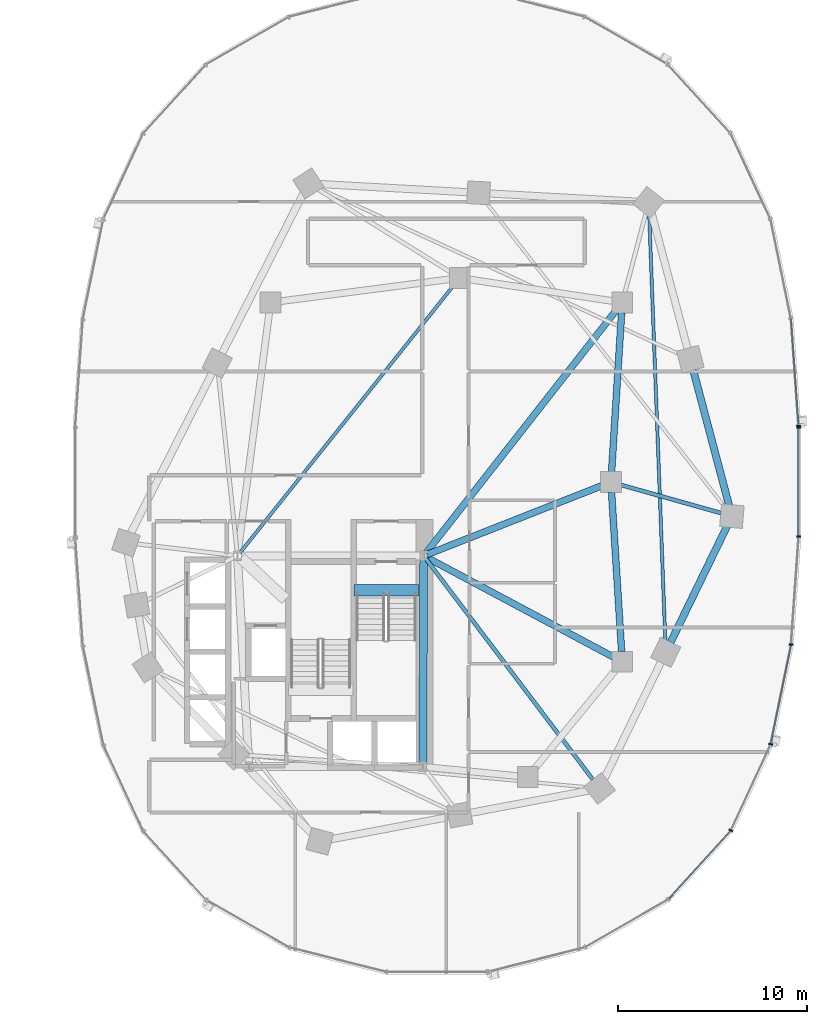
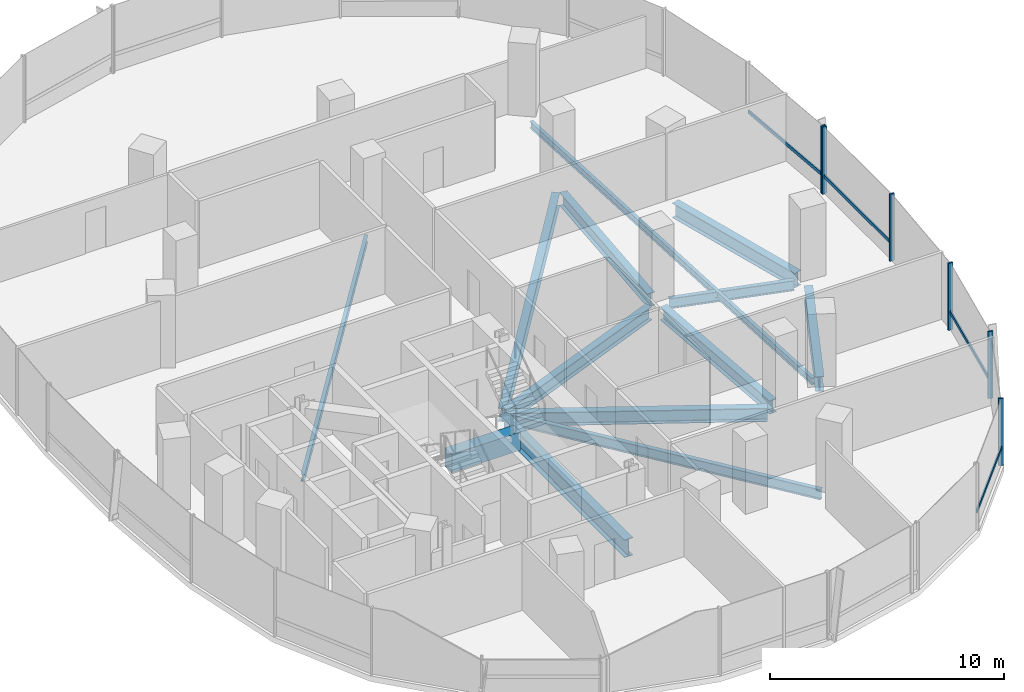
# One storey, part 6 of 21: 13 beams, 10 members, 2 elements without a shape of their own.
"""IFC4 building model written with IfcOpenShell, lengths in metres."""

import ifcopenshell
import ifcopenshell.guid

model = None  # the IFC model being written
_history = None  # IfcOwnerHistory: only IFC2X3 demands one
_inside = {}  # id of a spatial element -> (the spatial element, [elements in it])
_under = {}  # id of a project, library or spatial element -> (it, [spatial elements below it])
_declared = {}  # id of a project -> (the project, [libraries it declares])
_typed = {}  # id of a type object -> (the type object, [elements of that type])
_made_of = {}  # id of a material, layer set ... -> (it, [elements and type objects made of it])


def new_model(schema):
    """Start an empty IFC model of exactly this schema.

    Asked for "IFC4X3", IfcOpenShell would pick the latest addendum, in which some entities
    have other attributes; the version numbers below select the first issue.
    IFC2X3 requires an IfcOwnerHistory on every rooted entity: one is made here for all.
    """
    global model, _history
    if schema == "IFC4X3":
        model = ifcopenshell.file(schema_version=(4, 3, 0, 0))
    else:
        model = ifcopenshell.file(schema=schema)
    _inside.clear()
    _under.clear()
    _declared.clear()
    _typed.clear()
    _made_of.clear()
    _history = None
    if model.schema == "IFC2X3":
        org = make("IfcOrganization", Name="unknown")
        user = make(
            "IfcPersonAndOrganization",
            ThePerson=make("IfcPerson", FamilyName="unknown"),
            TheOrganization=org,
        )
        app = make(
            "IfcApplication",
            ApplicationDeveloper=org,
            Version="unknown",
            ApplicationFullName="unknown",
            ApplicationIdentifier="unknown",
        )
        _history = make(
            "IfcOwnerHistory",
            OwningUser=user,
            OwningApplication=app,
            ChangeAction="ADDED",
            CreationDate=0,
        )
    return model


def make(cls, **values):
    """One entity of the class cls with the attributes given. An attribute that is None is left unset."""
    return model.create_entity(
        cls, **{name: value for name, value in values.items() if value is not None}
    )


def rooted(cls, **values):
    """An entity with a GlobalId (a new one), such as an element, a storey or a relation."""
    return make(cls, GlobalId=ifcopenshell.guid.new(), OwnerHistory=_history, **values)


def si_unit(unit_type, name, prefix=None):
    """IfcSIUnit, for example si_unit("LENGTHUNIT", "METRE", prefix="MILLI")."""
    return make("IfcSIUnit", UnitType=unit_type, Prefix=prefix, Name=name)


def assignment(units):
    """IfcUnitAssignment: the units of a project."""
    return None if units is None else make("IfcUnitAssignment", Units=units)


def point(xyz):
    """IfcCartesianPoint."""
    return None if xyz is None else make("IfcCartesianPoint", Coordinates=xyz)


def direction(xyz):
    """IfcDirection."""
    return None if xyz is None else make("IfcDirection", DirectionRatios=xyz)


def frame(location, z_axis=None, x_axis=None):
    """IfcAxis2Placement3D, a coordinate frame: its origin and axes. An axis left out is left unset."""
    return make(
        "IfcAxis2Placement3D",
        Location=point(location),
        Axis=direction(z_axis),
        RefDirection=direction(x_axis),
    )


def frame_2d(location, x_axis=None):
    """IfcAxis2Placement2D, a coordinate frame in the plane: its origin and x axis."""
    return make(
        "IfcAxis2Placement2D", Location=point(location), RefDirection=direction(x_axis)
    )


def origin():
    """The frame at (0, 0, 0) with its axes left unset."""
    return frame((0.0, 0.0, 0.0))


def origin_2d():
    """The frame at (0, 0) in the plane with its x axis left unset."""
    return frame_2d((0.0, 0.0))


def place(relative_to, where):
    """IfcLocalPlacement: puts the frame where relative to a parent placement (None: the world)."""
    return make(
        "IfcLocalPlacement", PlacementRelTo=relative_to, RelativePlacement=where
    )


def context(
    kind, dimensions, precision=None, world=None, true_north=None, identifier=None
):
    """IfcGeometricRepresentationContext, for example the 3D "Model" context."""
    return make(
        "IfcGeometricRepresentationContext",
        ContextIdentifier=identifier,
        ContextType=kind,
        CoordinateSpaceDimension=dimensions,
        Precision=precision,
        WorldCoordinateSystem=world,
        TrueNorth=true_north,
    )


def subcontext(parent, identifier, kind, view, scale=None):
    """IfcGeometricRepresentationSubContext, for example "Body" below "Model"."""
    return make(
        "IfcGeometricRepresentationSubContext",
        ContextIdentifier=identifier,
        ContextType=kind,
        ParentContext=parent,
        TargetScale=scale,
        TargetView=view,
    )


def project(units=None, contexts=None):
    """IfcProject with its units and contexts."""
    return rooted(
        "IfcProject",
        Name="project",
        RepresentationContexts=contexts,
        UnitsInContext=assignment(units),
    )


def spatial(cls, under=None, at=None, **own):
    """A site, building, storey or space (cls), placed at a placement, below another one or the project."""
    s = rooted(cls, ObjectPlacement=at, **own)
    if under is not None:
        _under.setdefault(under.id(), (under, []))[1].append(s)
    return s


def profile(cls, at=None, kind="AREA", **sizes):
    """A parametric profile (cls). Its sizes go by their IFC names, for example OverallWidth=200.0."""
    return make(cls, ProfileType=kind, Position=at, **sizes)


def rectangle(**sizes):
    """IfcRectangleProfileDef."""
    return profile("IfcRectangleProfileDef", **sizes)


def i_section(**sizes):
    """IfcIShapeProfileDef."""
    return profile("IfcIShapeProfileDef", **sizes)


def extrude(swept, where, along, depth):
    """IfcExtrudedAreaSolid: the profile swept, set in the frame where, extruded along a direction by depth."""
    return make(
        "IfcExtrudedAreaSolid",
        SweptArea=swept,
        Position=where,
        ExtrudedDirection=direction(along),
        Depth=depth,
    )


def shape(context_of_items, identifier, shape_type, items):
    """IfcShapeRepresentation: the items that make up one representation, for example the "Body"."""
    return make(
        "IfcShapeRepresentation",
        ContextOfItems=context_of_items,
        RepresentationIdentifier=identifier,
        RepresentationType=shape_type,
        Items=items,
    )


def material(Name=None, Category=None):
    """IfcMaterial."""
    return make("IfcMaterial", Name=Name, Category=Category)


def material_profile(
    of_material, cross_section, Name=None, Category=None, Priority=None
):
    """IfcMaterialProfile: a cross section and its material."""
    return make(
        "IfcMaterialProfile",
        Name=Name,
        Material=of_material,
        Profile=cross_section,
        Priority=Priority,
        Category=Category,
    )


def profile_set(profiles, Name=None, composite=None):
    """IfcMaterialProfileSet."""
    return make(
        "IfcMaterialProfileSet",
        Name=Name,
        MaterialProfiles=profiles,
        CompositeProfile=composite,
    )


def made_of(thing, what):
    """Note that an element or type object is made of a material, layer set ...; save() writes the relation."""
    if what is not None:
        _made_of.setdefault(what.id(), (what, []))[1].append(thing)
    return thing


def type_object(cls, material=None, **own):
    """A type object (cls), such as IfcWallType, which elements share."""
    return made_of(rooted(cls, **own), material)


def element(
    cls,
    number,
    at=None,
    inside=None,
    cuts=None,
    type_object=None,
    material=None,
    context=None,
    identifier="Body",
    shape_type=None,
    held_by="IfcProductDefinitionShape",
    body=None,
    shapes=None,
    **own,
):
    """One element of the class cls, such as IfcWall. Its Tag is "e" and its number.

    at: its placement. inside: the storey or other place that contains it. cuts: it is an
    opening in that element (IfcRelVoidsElement). A single representation is given by context,
    identifier, shape_type and body (its items); several are given by shapes. held_by: the class
    of the entity that holds the representations. save() writes the other relations.
    """
    e = rooted(cls, Tag="e%d" % number, ObjectPlacement=at, **own)
    if body is not None:
        shapes = [shape(context, identifier, shape_type, body)]
    if shapes is not None:
        e.Representation = make(held_by, Representations=shapes)
    if inside is not None:
        _inside.setdefault(inside.id(), (inside, []))[1].append(e)
    if cuts is not None:
        rooted(
            "IfcRelVoidsElement", RelatingBuildingElement=cuts, RelatedOpeningElement=e
        )
    if type_object is not None:
        _typed.setdefault(type_object.id(), (type_object, []))[1].append(e)
    return made_of(e, material)


def aggregate(whole, parts):
    """IfcRelAggregates: a whole, such as a stair, and the parts it consists of."""
    return rooted("IfcRelAggregates", RelatingObject=whole, RelatedObjects=parts)


def save(model, path):
    """Write the relations noted so far, then the file.

    IfcRelAggregates (storeys below a building ...), IfcRelContainedInSpatialStructure (elements
    in a storey), IfcRelDefinesByType, IfcRelAssociatesMaterial and IfcRelDeclares: one each for
    every whole, place, type object, material and project.
    """
    for whole, parts in _under.values():
        aggregate(whole, parts)
    for where, things in _inside.values():
        rooted(
            "IfcRelContainedInSpatialStructure",
            RelatedElements=things,
            RelatingStructure=where,
        )
    for kind, things in _typed.values():
        rooted("IfcRelDefinesByType", RelatedObjects=things, RelatingType=kind)
    for what, things in _made_of.values():
        rooted("IfcRelAssociatesMaterial", RelatedObjects=things, RelatingMaterial=what)
    for by, libraries in _declared.values():
        rooted("IfcRelDeclares", RelatingContext=by, RelatedDefinitions=libraries)
    model.write(path)


model = new_model("IFC4")

# Units and contexts
model_context = context("Model", 3, precision=1e-05, world=origin(), true_north=direction((0.0, 1.0)))
body_context = subcontext(model_context, "Body", "Model", "MODEL_VIEW")
ifc_project = project(units=[si_unit("LENGTHUNIT", "METRE"), si_unit("AREAUNIT", "SQUARE_METRE"), si_unit("VOLUMEUNIT", "CUBIC_METRE"), si_unit("PLANEANGLEUNIT", "RADIAN"), si_unit("MASSUNIT", "GRAM", prefix="KILO"), si_unit("THERMODYNAMICTEMPERATUREUNIT", "KELVIN"), si_unit("POWERUNIT", "WATT")], contexts=[model_context])

# Site, building, storey
site_placement = place(None, origin())
site = spatial("IfcSite", under=ifc_project, at=site_placement, CompositionType="ELEMENT")
building_placement = place(site_placement, origin())
building = spatial("IfcBuilding", under=site, at=building_placement, Name="Cundina Bronze Exchange", CompositionType="ELEMENT")
storey_placement = place(building_placement, frame((0.0, 0.0, 65.800048828125)))
storey = spatial("IfcBuildingStorey", under=building, at=storey_placement, Name="L16", CompositionType="ELEMENT", Elevation=65.800048828125)

# Beams
ifc_material_1 = material(Name="Concrete C60/75", Category="concrete")
ifc_material_profile_1 = material_profile(ifc_material_1, rectangle(XDim=0.60009765625, YDim=0.949951171875, at=origin_2d()), Name="RC600X950", Category="concrete")
ifc_profile_set_1 = profile_set([ifc_material_profile_1], Name="Concrete C60/75")
beam_type_1 = type_object("IfcBeamType", Name="BM-COUP-RC950", PredefinedType="LINTEL", material=ifc_profile_set_1)
beam_1_placement = place(storey_placement, frame((27.6201171875, -5.719970703125, -0.47509765625), z_axis=(1.0, 0.0, 0.0), x_axis=(0.0, 1.0, 0.0)))
element("IfcBeam", 1, at=beam_1_placement, inside=storey, type_object=beam_type_1, Name="L16 Stair E1 Landing Header Beam", PredefinedType="LINTEL", context=body_context, shape_type="SweptSolid", body=[
    extrude(rectangle(XDim=0.60009765625, YDim=0.949951171875, at=origin_2d()), origin(), (0.0, 0.0, 1.0), 3.39990234375),
])
ifc_material_2 = material(Name="Steel ASTM A992 Grade 50", Category="steel")
ifc_material_profile_2 = material_profile(ifc_material_2, i_section(OverallWidth=0.2099609375, OverallDepth=0.532958984375, WebThickness=0.01025390625, FlangeThickness=0.015625, FilletRadius=0.013916015625, at=origin_2d()), Name="W21X62", Category="steel")
ifc_profile_set_2 = profile_set([ifc_material_profile_2], Name="Steel ASTM A992 Grade 50")
beam_type_2 = type_object("IfcBeamType", Name="BM-FLR-W21B", PredefinedType="BEAM", material=ifc_profile_set_2)
beam_2_placement = place(storey_placement, frame((31.423095703125, -4.062744140625, -0.566650390625), z_axis=(0.603106461849, -0.797660702101, 0.0), x_axis=(0.797660702101, 0.603106461849, 0.0)))
element("IfcBeam", 2, at=beam_2_placement, inside=storey, type_object=beam_type_2, Name="L16 Leg E Chordal Floor Beam 06", PredefinedType="BEAM", context=body_context, shape_type="SweptSolid", body=[
    extrude(i_section(OverallWidth=0.2099609375, OverallDepth=0.532958984375, WebThickness=0.01025390625, FlangeThickness=0.015625, FilletRadius=0.013916015625, at=origin_2d()), origin(), (0.0, 0.0, 1.0), 14.6279296875),
])
beam_3_placement = place(storey_placement, frame((41.718017578125, -0.145751953125, -0.566650390625), z_axis=(0.962650219971, -0.270748137554, 0.0), x_axis=(0.270748137554, 0.962650219971, 0.0)))
element("IfcBeam", 3, at=beam_3_placement, inside=storey, type_object=beam_type_2, Name="L16 Leg E Chordal Floor Beam 08", PredefinedType="BEAM", context=body_context, shape_type="SweptSolid", body=[
    extrude(i_section(OverallWidth=0.2099609375, OverallDepth=0.532958984375, WebThickness=0.01025390625, FlangeThickness=0.015625, FilletRadius=0.013916015625, at=origin_2d()), origin(), (0.0, 0.0, 1.0), 5.522216796875),
])
ifc_material_profile_3 = material_profile(ifc_material_2, i_section(OverallWidth=0.172119140625, OverallDepth=0.35791015625, WebThickness=0.0078125, FlangeThickness=0.01318359375, FilletRadius=0.010009765625, at=origin_2d()), Name="W14X38", Category="steel")
ifc_profile_set_3 = profile_set([ifc_material_profile_3], Name="Steel ASTM A992 Grade 50")
beam_type_3 = type_object("IfcBeamType", Name="BM-JST-W14", PredefinedType="JOIST", material=ifc_profile_set_3)
beam_4_placement = place(storey_placement, frame((21.577392578125, -3.740478515625, -0.47900390625), z_axis=(0.62436887964, 0.781129632095, 0.0), x_axis=(-0.781129632095, 0.62436887964, 0.0)))
element("IfcBeam", 4, at=beam_4_placement, inside=storey, type_object=beam_type_3, Name="L16 E Interior Core-to-Ring Joist 2", PredefinedType="JOIST", context=body_context, shape_type="SweptSolid", body=[
    extrude(i_section(OverallWidth=0.172119140625, OverallDepth=0.35791015625, WebThickness=0.0078125, FlangeThickness=0.01318359375, FilletRadius=0.010009765625, at=origin_2d()), origin(), (0.0, 0.0, 1.0), 18.076904296875),
])
beam_5_placement = place(storey_placement, frame((44.077880859375, -8.412353515625, -0.47900390625), z_axis=(-0.037794949147, 0.999285515666, 0.0), x_axis=(-0.999285515666, -0.037794949147, 0.0)))
element("IfcBeam", 5, at=beam_5_placement, inside=storey, type_object=beam_type_3, Name="L16 Leg E Lobe Floor Joist 07-10", PredefinedType="JOIST", context=body_context, shape_type="SweptSolid", body=[
    extrude(i_section(OverallWidth=0.172119140625, OverallDepth=0.35791015625, WebThickness=0.0078125, FlangeThickness=0.01318359375, FilletRadius=0.010009765625, at=origin_2d()), origin(), (0.0, 0.0, 1.0), 22.640869140625),
])
ifc_material_profile_4 = material_profile(ifc_material_2, i_section(OverallWidth=0.35498046875, OverallDepth=0.695068359375, WebThickness=0.015380859375, FlangeThickness=0.02490234375, FilletRadius=0.01806640625, at=origin_2d()), Name="W27X146", Category="steel")
ifc_profile_set_4 = profile_set([ifc_material_profile_4], Name="Steel ASTM A992 Grade 50")
beam_type_4 = type_object("IfcBeamType", Name="BM-RING-W27", PredefinedType="USERDEFINED", material=ifc_profile_set_4)
for number, where, z_axis, x_axis, name in (
    (6, (41.76611328125, -8.963134765625, -0.6474609375), (-0.06303715519, 0.998011180832, 0.0), (-0.998011180832, -0.06303715519, 0.0), "L16 E Inner Structural Ring Girder 03"),
    (7, (41.23388671875, 0.536865234375, -0.6474609375), (0.06303715519, 0.998011180832, 0.0), (-0.998011180832, 0.06303715519, 0.0), "L16 E Inner Structural Ring Girder 04"),
):
    element("IfcBeam", number, at=place(storey_placement, frame(where, z_axis=z_axis, x_axis=x_axis)), inside=storey, type_object=beam_type_4, Name=name, ObjectType="GIRDER", PredefinedType="USERDEFINED", context=body_context, shape_type="SweptSolid", body=[
        extrude(i_section(OverallWidth=0.35498046875, OverallDepth=0.695068359375, WebThickness=0.015380859375, FlangeThickness=0.02490234375, FilletRadius=0.01806640625, at=origin_2d()), origin(), (0.0, 0.0, 1.0), 8.443115234375),
    ])
beam_6_placement = place(storey_placement, frame((31.48974609375, -3.8251953125, -0.6474609375), z_axis=(0.930413235418, 0.366512225388, 0.0), x_axis=(-0.366512225388, 0.930413235418, 0.0)))
element("IfcBeam", 8, at=beam_6_placement, inside=storey, type_object=beam_type_4, Name="L16 E Core-to-Waist Tie Beam 1", ObjectType="GIRDER", PredefinedType="USERDEFINED", context=body_context, shape_type="SweptSolid", body=[
    extrude(i_section(OverallWidth=0.35498046875, OverallDepth=0.695068359375, WebThickness=0.015380859375, FlangeThickness=0.02490234375, FilletRadius=0.01806640625, at=origin_2d()), origin(), (0.0, 0.0, 1.0), 9.8984375),
])
beam_7_placement = place(storey_placement, frame((31.47998046875, -3.99609375, -0.6474609375), z_axis=(0.882354758239, -0.470584828286, 0.0), x_axis=(0.470584828286, 0.882354758239, 0.0)))
element("IfcBeam", 9, at=beam_7_placement, inside=storey, type_object=beam_type_4, Name="L16 E Core-to-Waist Tie Beam 2", ObjectType="GIRDER", PredefinedType="USERDEFINED", context=body_context, shape_type="SweptSolid", body=[
    extrude(i_section(OverallWidth=0.35498046875, OverallDepth=0.695068359375, WebThickness=0.015380859375, FlangeThickness=0.02490234375, FilletRadius=0.01806640625, at=origin_2d()), origin(), (0.0, 0.0, 1.0), 11.157958984375),
])
beam_8_placement = place(storey_placement, frame((31.42578125, -3.739501953125, -0.6474609375), z_axis=(0.616789275748, 0.787128318206, 0.0), x_axis=(-0.787128318206, 0.616789275748, 0.0)))
element("IfcBeam", 10, at=beam_8_placement, inside=storey, type_object=beam_type_4, Name="L16 E Core-to-Waist Tie Beam 3", ObjectType="GIRDER", PredefinedType="USERDEFINED", context=body_context, shape_type="SweptSolid", body=[
    extrude(i_section(OverallWidth=0.35498046875, OverallDepth=0.695068359375, WebThickness=0.015380859375, FlangeThickness=0.02490234375, FilletRadius=0.01806640625, at=origin_2d()), origin(), (0.0, 0.0, 1.0), 16.281982421875),
])
ifc_material_profile_5 = material_profile(ifc_material_2, i_section(OverallWidth=0.381103515625, OverallDepth=0.77294921875, WebThickness=0.0166015625, FlangeThickness=0.027099609375, FilletRadius=0.01904296875, at=origin_2d()), Name="W30X173", Category="steel")
ifc_profile_set_5 = profile_set([ifc_material_profile_5], Name="Steel ASTM A992 Grade 50")
beam_type_5 = type_object("IfcBeamType", Name="BM-RING-W30", PredefinedType="USERDEFINED", material=ifc_profile_set_5)
beam_9_placement = place(storey_placement, frame((44.357177734375, -8.47119140625, -0.6865234375), z_axis=(0.437190698904, 0.899368830231, 0.0), x_axis=(-0.899368830231, 0.437190698904, 0.0)))
element("IfcBeam", 11, at=beam_9_placement, inside=storey, type_object=beam_type_5, Name="L16 E Perimeter Ring Girder 07", ObjectType="GIRDER", PredefinedType="USERDEFINED", context=body_context, shape_type="SweptSolid", body=[
    extrude(i_section(OverallWidth=0.381103515625, OverallDepth=0.77294921875, WebThickness=0.0166015625, FlangeThickness=0.027099609375, FilletRadius=0.01904296875, at=origin_2d()), origin(), (0.0, 0.0, 1.0), 6.82958984375),
])
beam_10_placement = place(storey_placement, frame((47.44921875, -1.231689453125, -0.6865234375), z_axis=(-0.256177785604, 0.966629682021, 0.0), x_axis=(-0.966629682021, -0.256177785604, 0.0)))
element("IfcBeam", 12, at=beam_10_placement, inside=storey, type_object=beam_type_5, Name="L16 E Perimeter Ring Girder 08", ObjectType="GIRDER", PredefinedType="USERDEFINED", context=body_context, shape_type="SweptSolid", body=[
    extrude(i_section(OverallWidth=0.381103515625, OverallDepth=0.77294921875, WebThickness=0.0166015625, FlangeThickness=0.027099609375, FilletRadius=0.01904296875, at=origin_2d()), origin(), (0.0, 0.0, 1.0), 7.41064453125),
])
ifc_material_profile_6 = material_profile(ifc_material_2, i_section(OverallWidth=0.41796875, OverallDepth=0.927001953125, WebThickness=0.019287109375, FlangeThickness=0.031982421875, FilletRadius=0.02392578125, at=origin_2d()), Name="W36X231", Category="steel")
ifc_profile_set_6 = profile_set([ifc_material_profile_6], Name="Steel ASTM A992 Grade 50")
beam_type_6 = type_object("IfcBeamType", Name="BM-WRN-W36B", PredefinedType="USERDEFINED", material=ifc_profile_set_6)
beam_11_placement = place(storey_placement, frame((31.2509765625, -14.845947265625, -0.763427734375), z_axis=(0.004477329608, 0.99998997671, 0.0), x_axis=(-0.99998997671, 0.004477329608, 0.0)))
element("IfcBeam", 13, at=beam_11_placement, inside=storey, type_object=beam_type_6, Name="L16 E Core Perimeter Tie Girder 4", ObjectType="GIRDER", PredefinedType="USERDEFINED", context=body_context, shape_type="SweptSolid", body=[
    extrude(i_section(OverallWidth=0.41796875, OverallDepth=0.927001953125, WebThickness=0.019287109375, FlangeThickness=0.031982421875, FilletRadius=0.02392578125, at=origin_2d()), origin(), (0.0, 0.0, 1.0), 10.741943359375),
])

# Curtain wall, member
ifc_material_3 = material(Name="Anodised Bronze Aluminium 6063-T6", Category="aluminium")
curtain_wall_type = type_object("IfcCurtainWallType", Name="CWS-TRD-LOW", PredefinedType="NOTDEFINED", material=ifc_material_3)
curtain_wall_1_placement = place(storey_placement, origin())
curtain_wall_1 = element("IfcCurtainWall", 14, at=curtain_wall_1_placement, inside=storey, type_object=curtain_wall_type, Name="L16 CW-02 Curtain Wall Run CWR-L16-E1", PredefinedType="NOTDEFINED")
ifc_material_profile_7 = material_profile(ifc_material_3, rectangle(XDim=0.074951171875, YDim=0.219970703125, at=origin_2d()), Name="AL75X220", Category="aluminium")
ifc_profile_set_7 = profile_set([ifc_material_profile_7], Name="Anodised Bronze Aluminium 6063-T6")
member_type_1 = type_object("IfcMemberType", Name="CWM-MUL-220", PredefinedType="MULLION", material=ifc_profile_set_7)
member_1_placement = place(storey_placement, frame((51.12451171875, 2.976318359375, 0.0), z_axis=(0.0, 0.0, 1.0), x_axis=(-0.070278787473, 0.997527389113, 0.0)))
member_1 = element("IfcMember", 15, at=member_1_placement, type_object=member_type_1, Name="CW-02 Mullion 1", PredefinedType="MULLION", context=body_context, shape_type="SweptSolid", body=[
    extrude(rectangle(XDim=0.074951171875, YDim=0.219970703125, at=origin_2d()), origin(), (0.0, 0.0, 1.0), 3.5),
])

# Curtain wall, members
curtain_wall_2_placement = place(storey_placement, origin())
curtain_wall_2 = element("IfcCurtainWall", 16, at=curtain_wall_2_placement, inside=storey, type_object=curtain_wall_type, Name="L16 CW-02 Curtain Wall Run CWR-L16-E4", PredefinedType="NOTDEFINED")
member_2_placement = place(storey_placement, frame((47.544189453125, -18.423583984375, 0.0), z_axis=(0.0, 0.0, 1.0), x_axis=(0.42087749791, 0.907117485088, 0.0)))
member_2 = element("IfcMember", 17, at=member_2_placement, type_object=member_type_1, Name="CW-02 Mullion 4", PredefinedType="MULLION", context=body_context, shape_type="SweptSolid", body=[
    extrude(rectangle(XDim=0.074951171875, YDim=0.219970703125, at=origin_2d()), origin(), (0.0, 0.0, 1.0), 3.5),
])
member_3_placement = place(storey_placement, frame((49.651123046875, -13.861328125, 0.0), z_axis=(0.0, 0.0, 1.0), x_axis=(0.201419845156, 0.979505000486, 0.0)))
member_3 = element("IfcMember", 18, at=member_3_placement, type_object=member_type_1, Name="CW-02 Mullion 5", PredefinedType="MULLION", context=body_context, shape_type="SweptSolid", body=[
    extrude(rectangle(XDim=0.074951171875, YDim=0.219970703125, at=origin_2d()), origin(), (0.0, 0.0, 1.0), 3.5),
])
member_4_placement = place(storey_placement, frame((50.72900390625, -8.591552734375, 0.0), z_axis=(0.0, 0.0, 1.0), x_axis=(0.070278787473, 0.997527389113, 0.0)))
member_4 = element("IfcMember", 19, at=member_4_placement, type_object=member_type_1, Name="CW-02 Mullion 6", PredefinedType="MULLION", context=body_context, shape_type="SweptSolid", body=[
    extrude(rectangle(XDim=0.074951171875, YDim=0.219970703125, at=origin_2d()), origin(), (0.0, 0.0, 1.0), 3.5),
])
member_5_placement = place(storey_placement, frame((51.1279296875, -2.880615234375, 0.0), z_axis=(0.0, 0.0, 1.0), x_axis=(0.0, 1.0, 0.0)))
member_5 = element("IfcMember", 20, at=member_5_placement, type_object=member_type_1, Name="CW-02 Mullion 7", PredefinedType="MULLION", context=body_context, shape_type="SweptSolid", body=[
    extrude(rectangle(XDim=0.074951171875, YDim=0.219970703125, at=origin_2d()), origin(), (0.0, 0.0, 1.0), 3.5),
])
member_6_placement = place(storey_placement, frame((51.1279296875, 2.880615234375, 0.0), z_axis=(0.0, 0.0, 1.0), x_axis=(0.0, 1.0, 0.0)))
member_6 = element("IfcMember", 21, at=member_6_placement, type_object=member_type_1, Name="CW-02 End Mullion", PredefinedType="MULLION", context=body_context, shape_type="SweptSolid", body=[
    extrude(rectangle(XDim=0.074951171875, YDim=0.219970703125, at=origin_2d()), origin(), (0.0, 0.0, 1.0), 3.5),
])

# Member
ifc_material_profile_8 = material_profile(ifc_material_3, rectangle(XDim=0.070068359375, YDim=0.179931640625, at=origin_2d()), Name="AL70X180", Category="aluminium")
ifc_profile_set_8 = profile_set([ifc_material_profile_8], Name="Anodised Bronze Aluminium 6063-T6")
member_type_2 = type_object("IfcMemberType", Name="CWM-TRN-180", PredefinedType="USERDEFINED", material=ifc_profile_set_8)
member_7_placement = place(storey_placement, frame((51.12158203125, 3.017333984375, 0.919921875), z_axis=(-0.070260714471, 0.997528662246, 0.0), x_axis=(-0.997528662246, -0.070260714471, 0.0)))
member_7 = element("IfcMember", 22, at=member_7_placement, type_object=member_type_2, Name="CW-02 Spandrel Transom 1", ObjectType="TRANSOM", PredefinedType="USERDEFINED", context=body_context, shape_type="SweptSolid", body=[
    extrude(rectangle(XDim=0.070068359375, YDim=0.179931640625, at=origin_2d()), origin(), (0.0, 0.0, 1.0), 5.629150390625),
])

aggregate(curtain_wall_1, [member_1, member_7])

member_8_placement = place(storey_placement, frame((44.26708984375, -22.027099609375, 0.919921875), z_axis=(0.674302794847, 0.738454968743, 0.0), x_axis=(-0.738454968743, 0.674302794847, 0.0)))
member_8 = element("IfcMember", 23, at=member_8_placement, type_object=member_type_2, Name="CW-02 Spandrel Transom 3", ObjectType="TRANSOM", PredefinedType="USERDEFINED", context=body_context, shape_type="SweptSolid", body=[
    extrude(rectangle(XDim=0.070068359375, YDim=0.179931640625, at=origin_2d()), origin(), (0.0, 0.0, 1.0), 4.848388671875),
])

member_9_placement = place(storey_placement, frame((49.659423828125, -13.821044921875, 0.919921875), z_axis=(0.201427712708, 0.979503382615, 0.0), x_axis=(-0.979503382615, 0.201427712708, 0.0)))
member_9 = element("IfcMember", 24, at=member_9_placement, type_object=member_type_2, Name="CW-02 Spandrel Transom 5", ObjectType="TRANSOM", PredefinedType="USERDEFINED", context=body_context, shape_type="SweptSolid", body=[
    extrude(rectangle(XDim=0.070068359375, YDim=0.179931640625, at=origin_2d()), origin(), (0.0, 0.0, 1.0), 5.291748046875),
])

member_10_placement = place(storey_placement, frame((51.1279296875, -2.839111328125, 0.919921875), z_axis=(0.0, 1.0, 0.0), x_axis=(-1.0, 0.0, 0.0)))
member_10 = element("IfcMember", 25, at=member_10_placement, type_object=member_type_2, Name="CW-02 Spandrel Transom 7", ObjectType="TRANSOM", PredefinedType="USERDEFINED", context=body_context, shape_type="SweptSolid", body=[
    extrude(rectangle(XDim=0.070068359375, YDim=0.179931640625, at=origin_2d()), origin(), (0.0, 0.0, 1.0), 5.67822265625),
])

aggregate(curtain_wall_2, [member_8, member_2, member_3, member_9, member_4, member_5, member_6, member_10])

save(model, "model.ifc")
